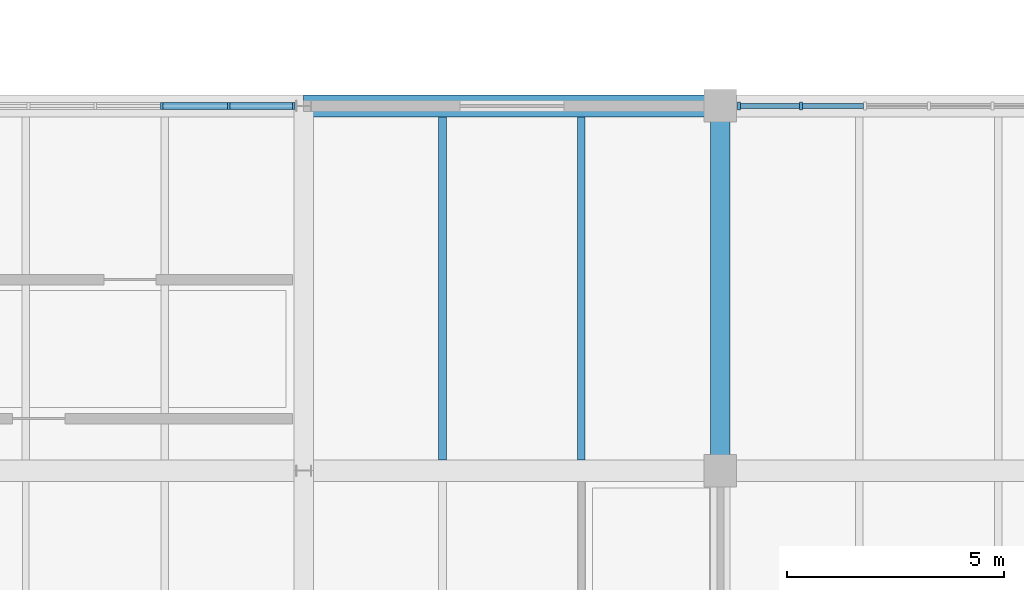
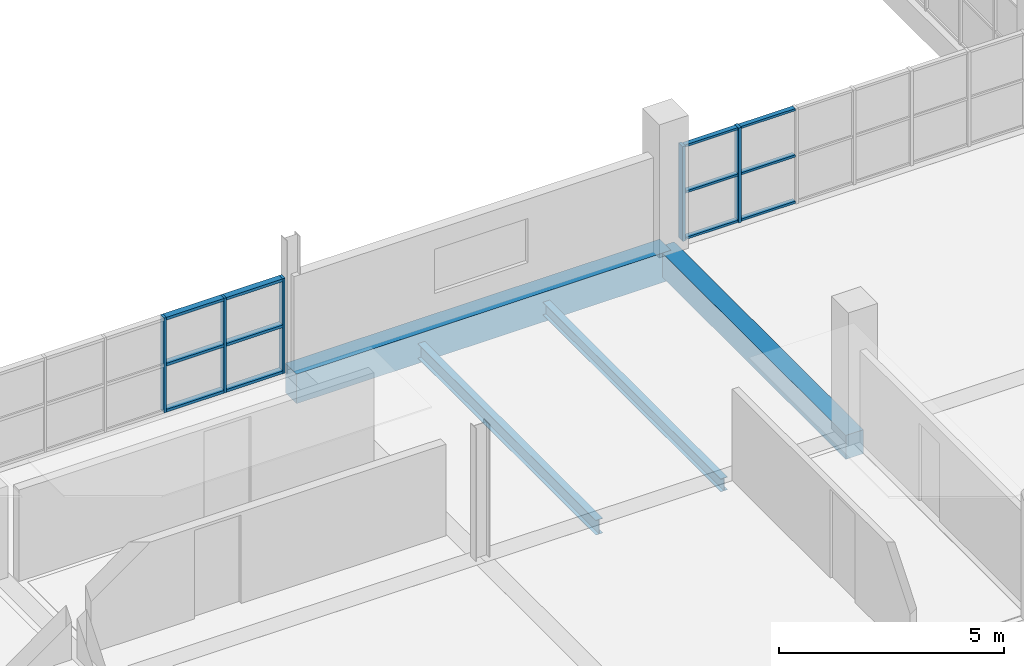
# One storey, part 50 of 147: 17 members, 4 beams, 2 elements without a shape of their own.
"""IFC4 building model written with IfcOpenShell, lengths in metres."""

from ifc_helpers import new_model, si_unit, direction, frame, origin, origin_2d, place, context, subcontext, project, spatial, rectangle, i_section, extrude, material, material_profile, profile_set, type_object, element, aggregate, save


model = new_model("IFC4")

# Units and contexts
model_context = context("Model", 3, precision=1e-05, world=origin(), true_north=direction((0.0, 1.0)))
body_context = subcontext(model_context, "Body", "Model", "MODEL_VIEW")
ifc_project = project(units=[si_unit("LENGTHUNIT", "METRE"), si_unit("AREAUNIT", "SQUARE_METRE"), si_unit("VOLUMEUNIT", "CUBIC_METRE"), si_unit("PLANEANGLEUNIT", "RADIAN"), si_unit("MASSUNIT", "GRAM", prefix="KILO")], contexts=[model_context])

# Site, building, storey
site_placement = place(None, origin())
site = spatial("IfcSite", under=ifc_project, at=site_placement, CompositionType="ELEMENT")
building_placement = place(site_placement, origin())
building = spatial("IfcBuilding", under=site, at=building_placement, Name="Oolite Switchyard Hospital", CompositionType="ELEMENT")
storey_placement = place(building_placement, frame((0.0, 0.0, 9.89990234375)))
storey = spatial("IfcBuildingStorey", under=building, at=storey_placement, Name="L02", CompositionType="ELEMENT", Elevation=9.89990234375)

# Beams
ifc_material_1 = material(Name="Concrete C40/50", Category="concrete")
ifc_material_profile_1 = material_profile(ifc_material_1, rectangle(XDim=0.449951171875, YDim=0.64990234375, at=origin_2d()), Name="RCB450X650")
ifc_profile_set_1 = profile_set([ifc_material_profile_1], Name="Concrete C40/50")
beam_type_1 = type_object("IfcBeamType", Name="BM-RC450X650", PredefinedType="BEAM", material=ifc_profile_set_1)
beam_1_placement = place(storey_placement, frame((124.800048828125, 100.800048828125, -0.324951171875), z_axis=(0.0, 1.0, 0.0), x_axis=(-1.0, 0.0, 0.0)))
element("IfcBeam", 1, at=beam_1_placement, inside=storey, type_object=beam_type_1, Name="L02 Y-Girder 1399", PredefinedType="BEAM", context=body_context, shape_type="SweptSolid", body=[
    extrude(rectangle(XDim=0.449951171875, YDim=0.64990234375, at=origin_2d()), origin(), (0.0, 0.0, 1.0), 8.39990234375),
])
ifc_material_profile_2 = material_profile(ifc_material_1, rectangle(XDim=0.5, YDim=0.800048828125, at=origin_2d()), Name="RCB500X800")
ifc_profile_set_2 = profile_set([ifc_material_profile_2], Name="Concrete C40/50")
beam_type_2 = type_object("IfcBeamType", Name="BM-RC500X800", PredefinedType="BEAM", material=ifc_profile_set_2)
beam_2_placement = place(storey_placement, frame((115.199951171875, 109.199951171875, -0.39990234375), z_axis=(1.0, 0.0, 0.0), x_axis=(0.0, 1.0, 0.0)))
element("IfcBeam", 2, at=beam_2_placement, inside=storey, type_object=beam_type_2, Name="L02 X-Girder 1193", PredefinedType="BEAM", context=body_context, shape_type="SweptSolid", body=[
    extrude(rectangle(XDim=0.5, YDim=0.800048828125, at=origin_2d()), origin(), (0.0, 0.0, 1.0), 9.60009765625),
])
ifc_material_2 = material(Name="Steel ASTM A992 Grade 50", Category="steel")
ifc_material_profile_3 = material_profile(ifc_material_2, i_section(OverallWidth=0.1708984375, OverallDepth=0.35107421875, WebThickness=0.007080078125, FlangeThickness=0.010009765625, at=origin_2d()), Name="W14X30")
ifc_profile_set_3 = profile_set([ifc_material_profile_3], Name="Steel ASTM A992 Grade 50")
beam_type_3 = type_object("IfcBeamType", Name="BM-W14X30", PredefinedType="JOIST", material=ifc_profile_set_3)
beam_3_placement = place(storey_placement, frame((121.60009765625, 101.050048828125, -0.434814453125), z_axis=(0.0, 1.0, 0.0), x_axis=(-1.0, 0.0, 0.0)))
element("IfcBeam", 3, at=beam_3_placement, inside=storey, type_object=beam_type_3, Name="L02 Secondary Steel Joist 1749", PredefinedType="JOIST", context=body_context, shape_type="SweptSolid", body=[
    extrude(i_section(OverallWidth=0.1708984375, OverallDepth=0.35107421875, WebThickness=0.007080078125, FlangeThickness=0.010009765625, at=origin_2d()), origin(), (0.0, 0.0, 1.0), 7.89990234375),
])
ifc_material_profile_4 = material_profile(ifc_material_2, i_section(OverallWidth=0.177978515625, OverallDepth=0.403076171875, WebThickness=0.008056640625, FlangeThickness=0.010986328125, at=origin_2d()), Name="W16X36")
ifc_profile_set_4 = profile_set([ifc_material_profile_4], Name="Steel ASTM A992 Grade 50")
beam_type_4 = type_object("IfcBeamType", Name="BM-W16X36", PredefinedType="JOIST", material=ifc_profile_set_4)
beam_4_placement = place(storey_placement, frame((118.39990234375, 101.050048828125, -0.4609375), z_axis=(0.0, 1.0, 0.0), x_axis=(-1.0, 0.0, 0.0)))
element("IfcBeam", 4, at=beam_4_placement, inside=storey, type_object=beam_type_4, Name="L02 Secondary Steel Joist 1748", PredefinedType="JOIST", context=body_context, shape_type="SweptSolid", body=[
    extrude(i_section(OverallWidth=0.177978515625, OverallDepth=0.403076171875, WebThickness=0.008056640625, FlangeThickness=0.010986328125, at=origin_2d()), origin(), (0.0, 0.0, 1.0), 7.89990234375),
])

# Curtain wall, members
ifc_material_3 = material(Name="Thermally broken aluminum frame with laminated impact glazing", Category="aluminium")
curtain_wall_type = type_object("IfcCurtainWallType", Name="CW-UNIT-96X36", PredefinedType="USERDEFINED", material=ifc_material_3)
curtain_wall_1_placement = place(storey_placement, origin())
curtain_wall_1 = element("IfcCurtainWall", 5, at=curtain_wall_1_placement, inside=storey, type_object=curtain_wall_type, Name="L02 Unitised Curtain Wall 265", ObjectType="UNITISED", PredefinedType="USERDEFINED")
ifc_material_4 = material(Name="Aluminium 6063-T6", Category="aluminium")
ifc_material_profile_5 = material_profile(ifc_material_4, rectangle(XDim=0.159912109375, YDim=0.06005859375, at=origin_2d()), Name="CWM60X160")
ifc_profile_set_5 = profile_set([ifc_material_profile_5], Name="Aluminium 6063-T6")
member_type_1 = type_object("IfcMemberType", Name="CW-MUL-180", PredefinedType="MULLION", material=ifc_profile_set_5)
member_1_placement = place(storey_placement, frame((111.935546875, 109.199951171875, 0.0), z_axis=(0.0, 0.0, 1.0), x_axis=(0.0, 1.0, 0.0)))
member_1 = element("IfcMember", 6, at=member_1_placement, type_object=member_type_1, Name="CW-03 mullion 5", PredefinedType="MULLION", context=body_context, shape_type="SweptSolid", body=[
    extrude(rectangle(XDim=0.159912109375, YDim=0.06005859375, at=origin_2d()), origin(), (0.0, 0.0, 1.0), 2.570068359375),
])
member_2_placement = place(storey_placement, frame((113.471435546875, 109.199951171875, 0.0), z_axis=(0.0, 0.0, 1.0), x_axis=(0.0, 1.0, 0.0)))
member_2 = element("IfcMember", 7, at=member_2_placement, type_object=member_type_1, Name="CW-03 mullion 6", PredefinedType="MULLION", context=body_context, shape_type="SweptSolid", body=[
    extrude(rectangle(XDim=0.159912109375, YDim=0.06005859375, at=origin_2d()), origin(), (0.0, 0.0, 1.0), 2.570068359375),
])
member_3_placement = place(storey_placement, frame((114.97705078125, 109.199951171875, 0.0), z_axis=(0.0, 0.0, 1.0), x_axis=(0.0, 1.0, 0.0)))
member_3 = element("IfcMember", 8, at=member_3_placement, type_object=member_type_1, Name="CW-03 mullion 7", PredefinedType="MULLION", context=body_context, shape_type="SweptSolid", body=[
    extrude(rectangle(XDim=0.159912109375, YDim=0.06005859375, at=origin_2d()), origin(), (0.0, 0.0, 1.0), 2.570068359375),
])

curtain_wall_2_placement = place(storey_placement, origin())
curtain_wall_2 = element("IfcCurtainWall", 9, at=curtain_wall_2_placement, inside=storey, type_object=curtain_wall_type, Name="L02 Unitised Curtain Wall 266", ObjectType="UNITISED", PredefinedType="USERDEFINED")
ifc_material_profile_6 = material_profile(ifc_material_4, rectangle(XDim=0.179931640625, YDim=0.070068359375, at=origin_2d()), Name="CWM70X180")
ifc_profile_set_6 = profile_set([ifc_material_profile_6], Name="Aluminium 6063-T6")
member_type_2 = type_object("IfcMemberType", Name="CW-MUL-220", PredefinedType="MULLION", material=ifc_profile_set_6)
member_4_placement = place(storey_placement, frame((125.22509765625, 109.199951171875, 0.0), z_axis=(0.0, 0.0, 1.0), x_axis=(0.0, 1.0, 0.0)))
member_4 = element("IfcMember", 10, at=member_4_placement, type_object=member_type_2, Name="CW-03 mullion 1", PredefinedType="MULLION", context=body_context, shape_type="SweptSolid", body=[
    extrude(rectangle(XDim=0.179931640625, YDim=0.070068359375, at=origin_2d()), origin(), (0.0, 0.0, 1.0), 2.570068359375),
])
member_5_placement = place(storey_placement, frame((126.659912109375, 109.199951171875, 0.0), z_axis=(0.0, 0.0, 1.0), x_axis=(0.0, 1.0, 0.0)))
member_5 = element("IfcMember", 11, at=member_5_placement, type_object=member_type_2, Name="CW-03 mullion 2", PredefinedType="MULLION", context=body_context, shape_type="SweptSolid", body=[
    extrude(rectangle(XDim=0.179931640625, YDim=0.070068359375, at=origin_2d()), origin(), (0.0, 0.0, 1.0), 2.570068359375),
])
ifc_material_profile_7 = material_profile(ifc_material_4, rectangle(XDim=0.1201171875, YDim=0.06005859375, at=origin_2d()), Name="CWT60X120")
ifc_profile_set_7 = profile_set([ifc_material_profile_7], Name="Aluminium 6063-T6")
member_type_3 = type_object("IfcMemberType", Name="CW-TRN-150", PredefinedType="USERDEFINED", material=ifc_profile_set_7)
member_6_placement = place(storey_placement, frame((125.260009765625, 109.199951171875, 0.030029296875), z_axis=(1.0, 0.0, 0.0), x_axis=(0.0, 1.0, 0.0)))
member_6 = element("IfcMember", 12, at=member_6_placement, type_object=member_type_3, Name="CW-03 transom 1.1", ObjectType="TRANSOM", PredefinedType="USERDEFINED", context=body_context, shape_type="SweptSolid", body=[
    extrude(rectangle(XDim=0.1201171875, YDim=0.06005859375, at=origin_2d()), origin(), (0.0, 0.0, 1.0), 1.364990234375),
])
member_7_placement = place(storey_placement, frame((125.260009765625, 109.199951171875, 1.28515625), z_axis=(1.0, 0.0, 0.0), x_axis=(0.0, 1.0, 0.0)))
member_7 = element("IfcMember", 13, at=member_7_placement, type_object=member_type_3, Name="CW-03 transom 1.2", ObjectType="TRANSOM", PredefinedType="USERDEFINED", context=body_context, shape_type="SweptSolid", body=[
    extrude(rectangle(XDim=0.1201171875, YDim=0.06005859375, at=origin_2d()), origin(), (0.0, 0.0, 1.0), 1.364990234375),
])
member_8_placement = place(storey_placement, frame((125.260009765625, 109.199951171875, 2.5400390625), z_axis=(1.0, 0.0, 0.0), x_axis=(0.0, 1.0, 0.0)))
member_8 = element("IfcMember", 14, at=member_8_placement, type_object=member_type_3, Name="CW-03 transom 1.3", ObjectType="TRANSOM", PredefinedType="USERDEFINED", context=body_context, shape_type="SweptSolid", body=[
    extrude(rectangle(XDim=0.1201171875, YDim=0.06005859375, at=origin_2d()), origin(), (0.0, 0.0, 1.0), 1.364990234375),
])
member_9_placement = place(storey_placement, frame((126.695068359375, 109.199951171875, 0.030029296875), z_axis=(1.0, 0.0, 0.0), x_axis=(0.0, 1.0, 0.0)))
member_9 = element("IfcMember", 15, at=member_9_placement, type_object=member_type_3, Name="CW-03 transom 2.1", ObjectType="TRANSOM", PredefinedType="USERDEFINED", context=body_context, shape_type="SweptSolid", body=[
    extrude(rectangle(XDim=0.1201171875, YDim=0.06005859375, at=origin_2d()), origin(), (0.0, 0.0, 1.0), 1.39990234375),
])
member_10_placement = place(storey_placement, frame((126.695068359375, 109.199951171875, 1.28515625), z_axis=(1.0, 0.0, 0.0), x_axis=(0.0, 1.0, 0.0)))
member_10 = element("IfcMember", 16, at=member_10_placement, type_object=member_type_3, Name="CW-03 transom 2.2", ObjectType="TRANSOM", PredefinedType="USERDEFINED", context=body_context, shape_type="SweptSolid", body=[
    extrude(rectangle(XDim=0.1201171875, YDim=0.06005859375, at=origin_2d()), origin(), (0.0, 0.0, 1.0), 1.39990234375),
])
member_11_placement = place(storey_placement, frame((126.695068359375, 109.199951171875, 2.5400390625), z_axis=(1.0, 0.0, 0.0), x_axis=(0.0, 1.0, 0.0)))
member_11 = element("IfcMember", 17, at=member_11_placement, type_object=member_type_3, Name="CW-03 transom 2.3", ObjectType="TRANSOM", PredefinedType="USERDEFINED", context=body_context, shape_type="SweptSolid", body=[
    extrude(rectangle(XDim=0.1201171875, YDim=0.06005859375, at=origin_2d()), origin(), (0.0, 0.0, 1.0), 1.39990234375),
])
aggregate(curtain_wall_2, [member_4, member_5, member_6, member_7, member_8, member_9, member_10, member_11])

# Member
ifc_material_profile_8 = material_profile(ifc_material_4, rectangle(XDim=0.159912109375, YDim=0.074951171875, at=origin_2d()), Name="CWT75X160")
ifc_profile_set_8 = profile_set([ifc_material_profile_8], Name="Aluminium 6063-T6")
member_type_4 = type_object("IfcMemberType", Name="CW-TRN-180", PredefinedType="USERDEFINED", material=ifc_profile_set_8)
member_12_placement = place(storey_placement, frame((111.965576171875, 109.199951171875, 0.03759765625), z_axis=(1.0, 0.0, 0.0), x_axis=(0.0, 1.0, 0.0)))
member_12 = element("IfcMember", 18, at=member_12_placement, type_object=member_type_4, Name="CW-03 transom 5.1", ObjectType="TRANSOM", PredefinedType="USERDEFINED", context=body_context, shape_type="SweptSolid", body=[
    extrude(rectangle(XDim=0.159912109375, YDim=0.074951171875, at=origin_2d()), origin(), (0.0, 0.0, 1.0), 1.475830078125),
])

member_13_placement = place(storey_placement, frame((111.965576171875, 109.199951171875, 1.28515625), z_axis=(1.0, 0.0, 0.0), x_axis=(0.0, 1.0, 0.0)))
member_13 = element("IfcMember", 19, at=member_13_placement, type_object=member_type_4, Name="CW-03 transom 5.2", ObjectType="TRANSOM", PredefinedType="USERDEFINED", context=body_context, shape_type="SweptSolid", body=[
    extrude(rectangle(XDim=0.159912109375, YDim=0.074951171875, at=origin_2d()), origin(), (0.0, 0.0, 1.0), 1.475830078125),
])

member_14_placement = place(storey_placement, frame((111.965576171875, 109.199951171875, 2.53271484375), z_axis=(1.0, 0.0, 0.0), x_axis=(0.0, 1.0, 0.0)))
member_14 = element("IfcMember", 20, at=member_14_placement, type_object=member_type_4, Name="CW-03 transom 5.3", ObjectType="TRANSOM", PredefinedType="USERDEFINED", context=body_context, shape_type="SweptSolid", body=[
    extrude(rectangle(XDim=0.159912109375, YDim=0.074951171875, at=origin_2d()), origin(), (0.0, 0.0, 1.0), 1.475830078125),
])

member_15_placement = place(storey_placement, frame((113.501220703125, 109.199951171875, 0.03759765625), z_axis=(1.0, 0.0, 0.0), x_axis=(0.0, 1.0, 0.0)))
member_15 = element("IfcMember", 21, at=member_15_placement, type_object=member_type_4, Name="CW-03 transom 6.1", ObjectType="TRANSOM", PredefinedType="USERDEFINED", context=body_context, shape_type="SweptSolid", body=[
    extrude(rectangle(XDim=0.159912109375, YDim=0.074951171875, at=origin_2d()), origin(), (0.0, 0.0, 1.0), 1.44580078125),
])

member_16_placement = place(storey_placement, frame((113.501220703125, 109.199951171875, 1.28515625), z_axis=(1.0, 0.0, 0.0), x_axis=(0.0, 1.0, 0.0)))
member_16 = element("IfcMember", 22, at=member_16_placement, type_object=member_type_4, Name="CW-03 transom 6.2", ObjectType="TRANSOM", PredefinedType="USERDEFINED", context=body_context, shape_type="SweptSolid", body=[
    extrude(rectangle(XDim=0.159912109375, YDim=0.074951171875, at=origin_2d()), origin(), (0.0, 0.0, 1.0), 1.44580078125),
])

member_17_placement = place(storey_placement, frame((113.501220703125, 109.199951171875, 2.53271484375), z_axis=(1.0, 0.0, 0.0), x_axis=(0.0, 1.0, 0.0)))
member_17 = element("IfcMember", 23, at=member_17_placement, type_object=member_type_4, Name="CW-03 transom 6.3", ObjectType="TRANSOM", PredefinedType="USERDEFINED", context=body_context, shape_type="SweptSolid", body=[
    extrude(rectangle(XDim=0.159912109375, YDim=0.074951171875, at=origin_2d()), origin(), (0.0, 0.0, 1.0), 1.44580078125),
])

aggregate(curtain_wall_1, [member_1, member_2, member_3, member_12, member_13, member_14, member_15, member_16, member_17])

save(model, "model.ifc")
